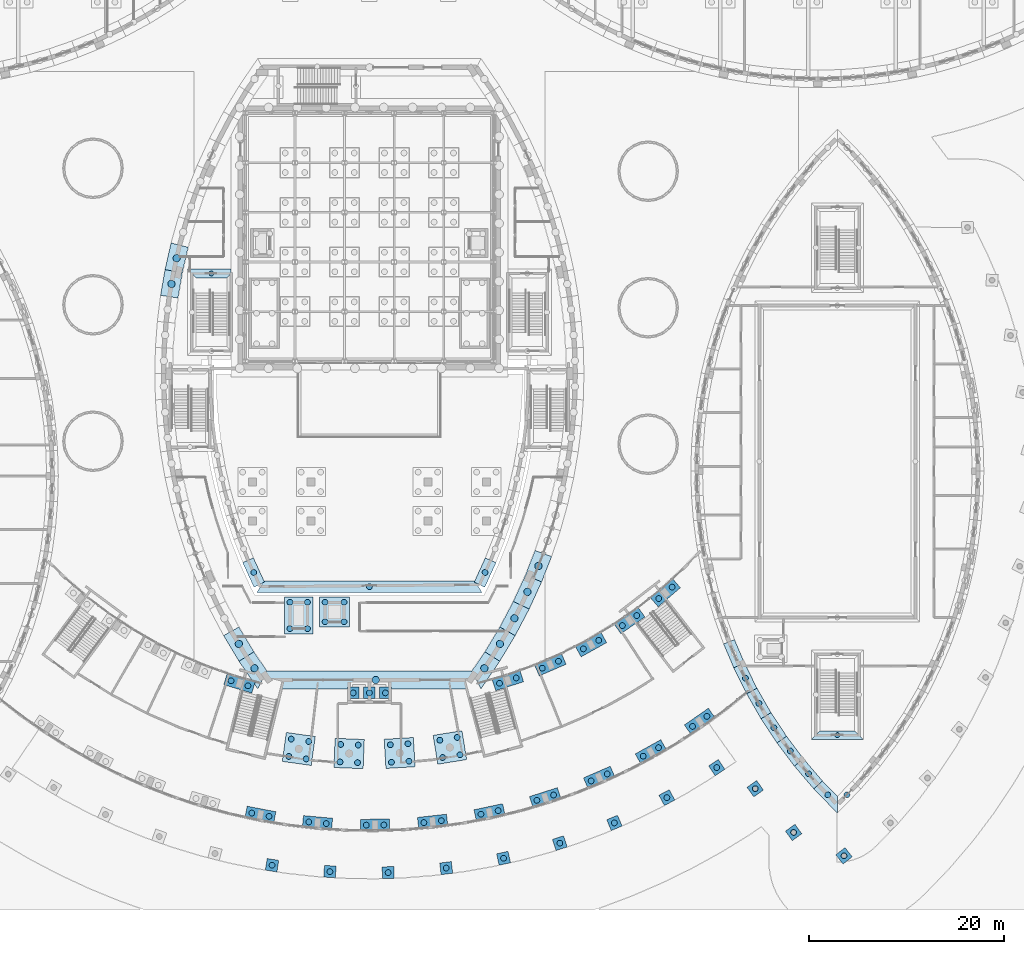
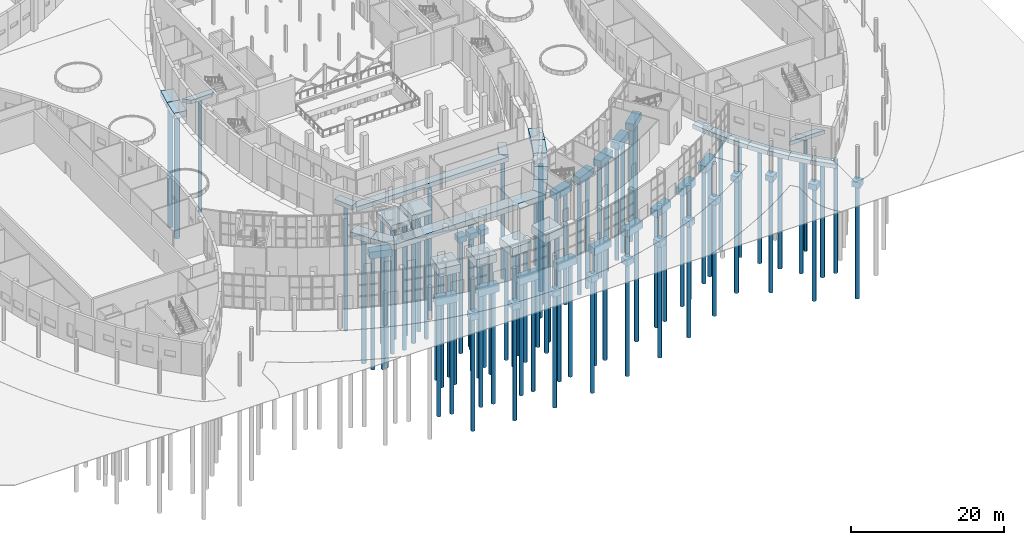
# One storey, part 3 of 82: 91 piles, 58 footings.
"""IFC4 building model written with IfcOpenShell, lengths in metres."""

import ifcopenshell
import ifcopenshell.guid

model = None  # the IFC model being written
_history = None  # IfcOwnerHistory: only IFC2X3 demands one
_inside = {}  # id of a spatial element -> (the spatial element, [elements in it])
_under = {}  # id of a project, library or spatial element -> (it, [spatial elements below it])
_declared = {}  # id of a project -> (the project, [libraries it declares])
_typed = {}  # id of a type object -> (the type object, [elements of that type])
_made_of = {}  # id of a material, layer set ... -> (it, [elements and type objects made of it])


def new_model(schema):
    """Start an empty IFC model of exactly this schema.

    Asked for "IFC4X3", IfcOpenShell would pick the latest addendum, in which some entities
    have other attributes; the version numbers below select the first issue.
    IFC2X3 requires an IfcOwnerHistory on every rooted entity: one is made here for all.
    """
    global model, _history
    if schema == "IFC4X3":
        model = ifcopenshell.file(schema_version=(4, 3, 0, 0))
    else:
        model = ifcopenshell.file(schema=schema)
    _inside.clear()
    _under.clear()
    _declared.clear()
    _typed.clear()
    _made_of.clear()
    _history = None
    if model.schema == "IFC2X3":
        org = make("IfcOrganization", Name="unknown")
        user = make(
            "IfcPersonAndOrganization",
            ThePerson=make("IfcPerson", FamilyName="unknown"),
            TheOrganization=org,
        )
        app = make(
            "IfcApplication",
            ApplicationDeveloper=org,
            Version="unknown",
            ApplicationFullName="unknown",
            ApplicationIdentifier="unknown",
        )
        _history = make(
            "IfcOwnerHistory",
            OwningUser=user,
            OwningApplication=app,
            ChangeAction="ADDED",
            CreationDate=0,
        )
    return model


def make(cls, **values):
    """One entity of the class cls with the attributes given. An attribute that is None is left unset."""
    return model.create_entity(
        cls, **{name: value for name, value in values.items() if value is not None}
    )


def rooted(cls, **values):
    """An entity with a GlobalId (a new one), such as an element, a storey or a relation."""
    return make(cls, GlobalId=ifcopenshell.guid.new(), OwnerHistory=_history, **values)


def si_unit(unit_type, name, prefix=None):
    """IfcSIUnit, for example si_unit("LENGTHUNIT", "METRE", prefix="MILLI")."""
    return make("IfcSIUnit", UnitType=unit_type, Prefix=prefix, Name=name)


def assignment(units):
    """IfcUnitAssignment: the units of a project."""
    return None if units is None else make("IfcUnitAssignment", Units=units)


def point(xyz):
    """IfcCartesianPoint."""
    return None if xyz is None else make("IfcCartesianPoint", Coordinates=xyz)


def direction(xyz):
    """IfcDirection."""
    return None if xyz is None else make("IfcDirection", DirectionRatios=xyz)


def frame(location, z_axis=None, x_axis=None):
    """IfcAxis2Placement3D, a coordinate frame: its origin and axes. An axis left out is left unset."""
    return make(
        "IfcAxis2Placement3D",
        Location=point(location),
        Axis=direction(z_axis),
        RefDirection=direction(x_axis),
    )


def frame_2d(location, x_axis=None):
    """IfcAxis2Placement2D, a coordinate frame in the plane: its origin and x axis."""
    return make(
        "IfcAxis2Placement2D", Location=point(location), RefDirection=direction(x_axis)
    )


def origin():
    """The frame at (0, 0, 0) with its axes left unset."""
    return frame((0.0, 0.0, 0.0))


def origin_2d():
    """The frame at (0, 0) in the plane with its x axis left unset."""
    return frame_2d((0.0, 0.0))


def place(relative_to, where):
    """IfcLocalPlacement: puts the frame where relative to a parent placement (None: the world)."""
    return make(
        "IfcLocalPlacement", PlacementRelTo=relative_to, RelativePlacement=where
    )


def context(
    kind, dimensions, precision=None, world=None, true_north=None, identifier=None
):
    """IfcGeometricRepresentationContext, for example the 3D "Model" context."""
    return make(
        "IfcGeometricRepresentationContext",
        ContextIdentifier=identifier,
        ContextType=kind,
        CoordinateSpaceDimension=dimensions,
        Precision=precision,
        WorldCoordinateSystem=world,
        TrueNorth=true_north,
    )


def subcontext(parent, identifier, kind, view, scale=None):
    """IfcGeometricRepresentationSubContext, for example "Body" below "Model"."""
    return make(
        "IfcGeometricRepresentationSubContext",
        ContextIdentifier=identifier,
        ContextType=kind,
        ParentContext=parent,
        TargetScale=scale,
        TargetView=view,
    )


def project(units=None, contexts=None):
    """IfcProject with its units and contexts."""
    return rooted(
        "IfcProject",
        Name="project",
        RepresentationContexts=contexts,
        UnitsInContext=assignment(units),
    )


def spatial(cls, under=None, at=None, **own):
    """A site, building, storey or space (cls), placed at a placement, below another one or the project."""
    s = rooted(cls, ObjectPlacement=at, **own)
    if under is not None:
        _under.setdefault(under.id(), (under, []))[1].append(s)
    return s


def polyline(points):
    """IfcPolyline through the points."""
    return make("IfcPolyline", Points=[point(p) for p in points])


def profile(cls, at=None, kind="AREA", **sizes):
    """A parametric profile (cls). Its sizes go by their IFC names, for example OverallWidth=200.0."""
    return make(cls, ProfileType=kind, Position=at, **sizes)


def rectangle(**sizes):
    """IfcRectangleProfileDef."""
    return profile("IfcRectangleProfileDef", **sizes)


def circle(**sizes):
    """IfcCircleProfileDef."""
    return profile("IfcCircleProfileDef", **sizes)


def outline(outer, holes=None, kind="AREA"):
    """IfcArbitraryClosedProfileDef: a profile drawn as a closed curve; with holes, ...WithVoids."""
    if holes is None:
        return make("IfcArbitraryClosedProfileDef", ProfileType=kind, OuterCurve=outer)
    return make(
        "IfcArbitraryProfileDefWithVoids",
        ProfileType=kind,
        OuterCurve=outer,
        InnerCurves=holes,
    )


def extrude(swept, where, along, depth):
    """IfcExtrudedAreaSolid: the profile swept, set in the frame where, extruded along a direction by depth."""
    return make(
        "IfcExtrudedAreaSolid",
        SweptArea=swept,
        Position=where,
        ExtrudedDirection=direction(along),
        Depth=depth,
    )


def shape(context_of_items, identifier, shape_type, items):
    """IfcShapeRepresentation: the items that make up one representation, for example the "Body"."""
    return make(
        "IfcShapeRepresentation",
        ContextOfItems=context_of_items,
        RepresentationIdentifier=identifier,
        RepresentationType=shape_type,
        Items=items,
    )


def material(Name=None, Category=None):
    """IfcMaterial."""
    return make("IfcMaterial", Name=Name, Category=Category)


def material_profile(
    of_material, cross_section, Name=None, Category=None, Priority=None
):
    """IfcMaterialProfile: a cross section and its material."""
    return make(
        "IfcMaterialProfile",
        Name=Name,
        Material=of_material,
        Profile=cross_section,
        Priority=Priority,
        Category=Category,
    )


def profile_set(profiles, Name=None, composite=None):
    """IfcMaterialProfileSet."""
    return make(
        "IfcMaterialProfileSet",
        Name=Name,
        MaterialProfiles=profiles,
        CompositeProfile=composite,
    )


def made_of(thing, what):
    """Note that an element or type object is made of a material, layer set ...; save() writes the relation."""
    if what is not None:
        _made_of.setdefault(what.id(), (what, []))[1].append(thing)
    return thing


def type_object(cls, material=None, **own):
    """A type object (cls), such as IfcWallType, which elements share."""
    return made_of(rooted(cls, **own), material)


def element(
    cls,
    number,
    at=None,
    inside=None,
    cuts=None,
    type_object=None,
    material=None,
    context=None,
    identifier="Body",
    shape_type=None,
    held_by="IfcProductDefinitionShape",
    body=None,
    shapes=None,
    **own,
):
    """One element of the class cls, such as IfcWall. Its Tag is "e" and its number.

    at: its placement. inside: the storey or other place that contains it. cuts: it is an
    opening in that element (IfcRelVoidsElement). A single representation is given by context,
    identifier, shape_type and body (its items); several are given by shapes. held_by: the class
    of the entity that holds the representations. save() writes the other relations.
    """
    e = rooted(cls, Tag="e%d" % number, ObjectPlacement=at, **own)
    if body is not None:
        shapes = [shape(context, identifier, shape_type, body)]
    if shapes is not None:
        e.Representation = make(held_by, Representations=shapes)
    if inside is not None:
        _inside.setdefault(inside.id(), (inside, []))[1].append(e)
    if cuts is not None:
        rooted(
            "IfcRelVoidsElement", RelatingBuildingElement=cuts, RelatedOpeningElement=e
        )
    if type_object is not None:
        _typed.setdefault(type_object.id(), (type_object, []))[1].append(e)
    return made_of(e, material)


def aggregate(whole, parts):
    """IfcRelAggregates: a whole, such as a stair, and the parts it consists of."""
    return rooted("IfcRelAggregates", RelatingObject=whole, RelatedObjects=parts)


def save(model, path):
    """Write the relations noted so far, then the file.

    IfcRelAggregates (storeys below a building ...), IfcRelContainedInSpatialStructure (elements
    in a storey), IfcRelDefinesByType, IfcRelAssociatesMaterial and IfcRelDeclares: one each for
    every whole, place, type object, material and project.
    """
    for whole, parts in _under.values():
        aggregate(whole, parts)
    for where, things in _inside.values():
        rooted(
            "IfcRelContainedInSpatialStructure",
            RelatedElements=things,
            RelatingStructure=where,
        )
    for kind, things in _typed.values():
        rooted("IfcRelDefinesByType", RelatedObjects=things, RelatingType=kind)
    for what, things in _made_of.values():
        rooted("IfcRelAssociatesMaterial", RelatedObjects=things, RelatingMaterial=what)
    for by, libraries in _declared.values():
        rooted("IfcRelDeclares", RelatingContext=by, RelatedDefinitions=libraries)
    model.write(path)


model = new_model("IFC4")

# Units and contexts
model_context = context("Model", 3, precision=1e-05, world=origin(), true_north=direction((0.0, 1.0)))
body_context = subcontext(model_context, "Body", "Model", "MODEL_VIEW")
ifc_project = project(units=[si_unit("LENGTHUNIT", "METRE"), si_unit("AREAUNIT", "SQUARE_METRE"), si_unit("VOLUMEUNIT", "CUBIC_METRE"), si_unit("PLANEANGLEUNIT", "RADIAN"), si_unit("MASSUNIT", "GRAM", prefix="KILO")], contexts=[model_context])

# Site, building, storey
site_placement = place(None, origin())
site = spatial("IfcSite", under=ifc_project, at=site_placement, CompositionType="ELEMENT")
building_placement = place(site_placement, origin())
building = spatial("IfcBuilding", under=site, at=building_placement, Name="Tide Square Theatres", CompositionType="ELEMENT")
storey_placement = place(building_placement, origin())
storey = spatial("IfcBuildingStorey", under=building, at=storey_placement, Name="L00", CompositionType="ELEMENT", Elevation=0.0)

# Piles
ifc_material_1 = material(Name="Concrete C30", Category="concrete")
ifc_material_profile_1 = material_profile(ifc_material_1, circle(Radius=0.25, at=origin_2d()))
ifc_profile_set_1 = profile_set([ifc_material_profile_1], Name="Concrete C30")
pile_type_1 = type_object("IfcPileType", Name="Bored pile D500", PredefinedType="BORED", material=ifc_profile_set_1)
for number, where, z_axis, x_axis, name in (
    (1, (67.800048828125, 65.27490234375, -0.699951171875), (0.0, 0.0, -1.0), (1.0, 0.0, 0.0), "Bored pile 003"),
    (2, (132.0, 17.925048828125, -0.699951171875), (0.0, 0.0, -1.0), (1.0, 0.0, 0.0), "Bored pile 066"),
):
    element("IfcPile", number, at=place(storey_placement, frame(where, z_axis=z_axis, x_axis=x_axis)), inside=storey, type_object=pile_type_1, Name=name, PredefinedType="BORED", context=body_context, shape_type="SweptSolid", body=[
        extrude(circle(Radius=0.25, at=origin_2d()), origin(), (0.0, 0.0, 1.0), 18.14990234375),
    ])
ifc_material_2 = material(Name="Concrete C30", Category="concrete")
ifc_material_profile_2 = material_profile(ifc_material_2, circle(Radius=0.300048828125, at=origin_2d()))
ifc_profile_set_2 = profile_set([ifc_material_profile_2], Name="Concrete C30")
pile_type_2 = type_object("IfcPileType", Name="Bored pile D600", PredefinedType="BORED", material=ifc_profile_set_2)
for number, where, z_axis, x_axis, name in (
    (3, (74.01708984375, 4.580810546875, -1.0), (0.0, 0.0, -1.0), (1.0, 0.0, 0.0), "Foyer bored pile"),
    (4, (79.953369140625, 3.927734375, -1.0), (0.0, 0.0, -1.0), (1.0, 0.0, 0.0), "Foyer bored pile"),
    (5, (85.9248046875, 3.828857421875, -1.0), (0.0, 0.0, -1.0), (1.0, 0.0, 0.0), "Foyer bored pile"),
    (6, (91.87939453125, 4.285400390625, -1.0), (0.0, 0.0, -1.0), (1.0, 0.0, 0.0), "Foyer bored pile"),
    (7, (97.765869140625, 5.293212890625, -1.0), (0.0, 0.0, -1.0), (1.0, 0.0, 0.0), "Foyer bored pile"),
    (8, (103.533203125, 6.84375, -1.0), (0.0, 0.0, -1.0), (1.0, 0.0, 0.0), "Foyer bored pile"),
    (9, (109.131591796875, 8.92333984375, -1.0), (0.0, 0.0, -1.0), (1.0, 0.0, 0.0), "Foyer bored pile"),
    (10, (114.512451171875, 11.514404296875, -1.0), (0.0, 0.0, -1.0), (1.0, 0.0, 0.0), "Foyer bored pile"),
    (11, (119.629150390625, 14.593994140625, -1.0), (0.0, 0.0, -1.0), (1.0, 0.0, 0.0), "Foyer bored pile"),
    (12, (123.57861328125, 12.431396484375, -1.0), (0.0, 0.0, -1.0), (1.0, 0.0, 0.0), "Foyer bored pile"),
    (13, (127.514404296875, 7.94287109375, -1.0), (0.0, 0.0, -1.0), (1.0, 0.0, 0.0), "Foyer bored pile"),
    (14, (132.682373046875, 5.54736328125, -1.0), (0.0, 0.0, -1.0), (1.0, 0.0, 0.0), "Foyer bored pile"),
):
    element("IfcPile", number, at=place(storey_placement, frame(where, z_axis=z_axis, x_axis=x_axis)), inside=storey, type_object=pile_type_2, Name=name, PredefinedType="BORED", context=body_context, shape_type="SweptSolid", body=[
        extrude(circle(Radius=0.300048828125, at=origin_2d()), origin(), (0.0, 0.0, 1.0), 18.14990234375),
    ])
for number, where, z_axis, x_axis, name in (
    (15, (72.132080078125, 34.610595703125, -0.550048828125), (0.0, 0.0, -1.0), (1.0, 0.0, 0.0), "Bored pile"),
    (16, (84.0, 33.14990234375, -0.550048828125), (0.0, 0.0, -1.0), (1.0, 0.0, 0.0), "Bored pile"),
    (17, (95.867919921875, 34.610595703125, -0.550048828125), (0.0, 0.0, -1.0), (1.0, 0.0, 0.0), "Bored pile"),
    (18, (75.85009765625, 28.85009765625, -2.050048828125), (0.0, 0.0, -1.0), (1.0, 0.0, 0.0), "Main Theatre lift pit pile 1.1"),
    (19, (77.64990234375, 28.85009765625, -2.050048828125), (0.0, 0.0, -1.0), (1.0, 0.0, 0.0), "Main Theatre lift pit pile 1.2"),
    (20, (77.64990234375, 31.550048828125, -2.050048828125), (0.0, 0.0, -1.0), (1.0, 0.0, 0.0), "Main Theatre lift pit pile 1.3"),
    (21, (75.85009765625, 31.550048828125, -2.050048828125), (0.0, 0.0, -1.0), (1.0, 0.0, 0.0), "Main Theatre lift pit pile 1.4"),
    (22, (79.449951171875, 29.550048828125, -2.050048828125), (0.0, 0.0, -1.0), (1.0, 0.0, 0.0), "Main Theatre lift pit pile 2.1"),
    (23, (81.39990234375, 29.550048828125, -2.050048828125), (0.0, 0.0, -1.0), (1.0, 0.0, 0.0), "Main Theatre lift pit pile 2.2"),
    (24, (81.39990234375, 31.550048828125, -2.050048828125), (0.0, 0.0, -1.0), (1.0, 0.0, 0.0), "Main Theatre lift pit pile 2.3"),
    (25, (79.449951171875, 31.550048828125, -2.050048828125), (0.0, 0.0, -1.0), (1.0, 0.0, 0.0), "Main Theatre lift pit pile 2.4"),
):
    element("IfcPile", number, at=place(storey_placement, frame(where, z_axis=z_axis, x_axis=x_axis)), inside=storey, type_object=pile_type_2, Name=name, PredefinedType="BORED", context=body_context, shape_type="SweptSolid", body=[
        extrude(circle(Radius=0.300048828125, at=origin_2d()), origin(), (0.0, 0.0, 1.0), 20.14990234375),
    ])
for number, where, z_axis, x_axis, name in (
    (26, (69.814697265625, 23.497314453125, -1.199951171875), (0.0, 0.0, -1.0), (1.0, 0.0, 0.0), "Foyer bored pile"),
    (27, (71.5400390625, 22.98388671875, -1.199951171875), (0.0, 0.0, -1.0), (1.0, 0.0, 0.0), "Foyer bored pile"),
    (28, (71.941650390625, 9.931884765625, -1.199951171875), (0.0, 0.0, -1.0), (1.0, 0.0, 0.0), "Foyer bored pile"),
    (29, (73.70947265625, 9.5927734375, -1.199951171875), (0.0, 0.0, -1.0), (1.0, 0.0, 0.0), "Foyer bored pile"),
    (30, (77.783203125, 9.02001953125, -1.199951171875), (0.0, 0.0, -1.0), (1.0, 0.0, 0.0), "Foyer bored pile"),
    (31, (79.57568359375, 8.8583984375, -1.199951171875), (0.0, 0.0, -1.0), (1.0, 0.0, 0.0), "Foyer bored pile"),
    (32, (83.686279296875, 8.694091796875, -1.199951171875), (0.0, 0.0, -1.0), (1.0, 0.0, 0.0), "Foyer bored pile"),
    (33, (85.486083984375, 8.7119140625, -1.199951171875), (0.0, 0.0, -1.0), (1.0, 0.0, 0.0), "Foyer bored pile"),
    (34, (89.59228515625, 8.95751953125, -1.199951171875), (0.0, 0.0, -1.0), (1.0, 0.0, 0.0), "Foyer bored pile"),
    (35, (91.381591796875, 9.154296875, -1.199951171875), (0.0, 0.0, -1.0), (1.0, 0.0, 0.0), "Foyer bored pile"),
    (36, (95.443115234375, 9.8076171875, -1.199951171875), (0.0, 0.0, -1.0), (1.0, 0.0, 0.0), "Foyer bored pile"),
    (37, (97.203857421875, 10.181640625, -1.199951171875), (0.0, 0.0, -1.0), (1.0, 0.0, 0.0), "Foyer bored pile"),
    (38, (101.179931640625, 11.236083984375, -1.199951171875), (0.0, 0.0, -1.0), (1.0, 0.0, 0.0), "Foyer bored pile"),
    (39, (102.894775390625, 11.783447265625, -1.199951171875), (0.0, 0.0, -1.0), (1.0, 0.0, 0.0), "Foyer bored pile"),
    (40, (97.347412109375, 23.239013671875, -1.199951171875), (0.0, 0.0, -1.0), (1.0, 0.0, 0.0), "Foyer bored pile"),
    (41, (99.06201171875, 23.78662109375, -1.199951171875), (0.0, 0.0, -1.0), (1.0, 0.0, 0.0), "Foyer bored pile"),
    (42, (106.74609375, 13.228515625, -1.199951171875), (0.0, 0.0, -1.0), (1.0, 0.0, 0.0), "Foyer bored pile"),
    (43, (108.39794921875, 13.944091796875, -1.199951171875), (0.0, 0.0, -1.0), (1.0, 0.0, 0.0), "Foyer bored pile"),
    (44, (101.737548828125, 24.790283203125, -1.199951171875), (0.0, 0.0, -1.0), (1.0, 0.0, 0.0), "Foyer bored pile"),
    (45, (103.389404296875, 25.505859375, -1.199951171875), (0.0, 0.0, -1.0), (1.0, 0.0, 0.0), "Foyer bored pile"),
    (46, (112.08642578125, 15.765380859375, -1.199951171875), (0.0, 0.0, -1.0), (1.0, 0.0, 0.0), "Foyer bored pile"),
    (47, (113.65869140625, 16.641845703125, -1.199951171875), (0.0, 0.0, -1.0), (1.0, 0.0, 0.0), "Foyer bored pile"),
    (48, (105.95166015625, 26.77099609375, -1.199951171875), (0.0, 0.0, -1.0), (1.0, 0.0, 0.0), "Foyer bored pile"),
    (49, (107.523681640625, 27.6474609375, -1.199951171875), (0.0, 0.0, -1.0), (1.0, 0.0, 0.0), "Foyer bored pile"),
    (50, (117.1474609375, 18.8212890625, -1.199951171875), (0.0, 0.0, -1.0), (1.0, 0.0, 0.0), "Foyer bored pile"),
    (51, (118.62451171875, 19.849853515625, -1.199951171875), (0.0, 0.0, -1.0), (1.0, 0.0, 0.0), "Foyer bored pile"),
    (52, (109.947509765625, 29.161376953125, -1.199951171875), (0.0, 0.0, -1.0), (1.0, 0.0, 0.0), "Foyer bored pile"),
    (53, (111.424560546875, 30.18994140625, -1.199951171875), (0.0, 0.0, -1.0), (1.0, 0.0, 0.0), "Foyer bored pile"),
    (54, (113.685302734375, 31.937744140625, -1.199951171875), (0.0, 0.0, -1.0), (1.0, 0.0, 0.0), "Foyer bored pile"),
    (55, (115.052734375, 33.1083984375, -1.199951171875), (0.0, 0.0, -1.0), (1.0, 0.0, 0.0), "Foyer bored pile"),
    (56, (75.7421875, 15.74072265625, -1.39990234375), (0.0, 0.0, -1.0), (1.0, 0.0, 0.0), "Foyer bored pile"),
    (57, (77.524658203125, 15.489990234375, -1.39990234375), (0.0, 0.0, -1.0), (1.0, 0.0, 0.0), "Foyer bored pile"),
    (58, (75.992919921875, 17.523193359375, -1.39990234375), (0.0, 0.0, -1.0), (1.0, 0.0, 0.0), "Foyer bored pile"),
    (59, (77.775390625, 17.272705078125, -1.39990234375), (0.0, 0.0, -1.0), (1.0, 0.0, 0.0), "Foyer bored pile"),
    (60, (80.986328125, 15.17822265625, -1.39990234375), (0.0, 0.0, -1.0), (1.0, 0.0, 0.0), "Foyer bored pile"),
    (61, (82.784912109375, 15.106201171875, -1.39990234375), (0.0, 0.0, -1.0), (1.0, 0.0, 0.0), "Foyer bored pile"),
    (62, (81.058349609375, 16.976806640625, -1.39990234375), (0.0, 0.0, -1.0), (1.0, 0.0, 0.0), "Foyer bored pile"),
    (63, (82.85693359375, 16.90478515625, -1.39990234375), (0.0, 0.0, -1.0), (1.0, 0.0, 0.0), "Foyer bored pile"),
    (64, (86.260498046875, 15.140625, -1.39990234375), (0.0, 0.0, -1.0), (1.0, 0.0, 0.0), "Foyer bored pile"),
    (65, (88.05712890625, 15.248046875, -1.39990234375), (0.0, 0.0, -1.0), (1.0, 0.0, 0.0), "Foyer bored pile"),
    (66, (86.15283203125, 16.9375, -1.39990234375), (0.0, 0.0, -1.0), (1.0, 0.0, 0.0), "Foyer bored pile"),
    (67, (87.94970703125, 17.044921875, -1.39990234375), (0.0, 0.0, -1.0), (1.0, 0.0, 0.0), "Foyer bored pile"),
    (68, (91.511962890625, 15.62841796875, -1.39990234375), (0.0, 0.0, -1.0), (1.0, 0.0, 0.0), "Foyer bored pile"),
    (69, (93.289306640625, 15.914306640625, -1.39990234375), (0.0, 0.0, -1.0), (1.0, 0.0, 0.0), "Foyer bored pile"),
    (70, (91.226318359375, 17.405517578125, -1.39990234375), (0.0, 0.0, -1.0), (1.0, 0.0, 0.0), "Foyer bored pile"),
    (71, (93.00341796875, 17.69140625, -1.39990234375), (0.0, 0.0, -1.0), (1.0, 0.0, 0.0), "Foyer bored pile"),
    (72, (132.986083984375, 11.803466796875, -0.800048828125), (0.0, 0.0, -1.0), (1.0, 0.0, 0.0), "Bored pile 001"),
    (73, (122.5712890625, 23.7705078125, -0.800048828125), (0.0, 0.0, -1.0), (1.0, 0.0, 0.0), "Bored pile 051"),
    (74, (123.953125, 21.186279296875, -0.800048828125), (0.0, 0.0, -1.0), (1.0, 0.0, 0.0), "Bored pile 052"),
    (75, (125.49072265625, 18.692138671875, -0.800048828125), (0.0, 0.0, -1.0), (1.0, 0.0, 0.0), "Bored pile 053"),
    (76, (127.178466796875, 16.296875, -0.800048828125), (0.0, 0.0, -1.0), (1.0, 0.0, 0.0), "Bored pile 054"),
    (77, (129.04345703125, 13.972412109375, -0.800048828125), (0.0, 0.0, -1.0), (1.0, 0.0, 0.0), "Bored pile 055"),
    (78, (131.013916015625, 11.803466796875, -0.800048828125), (0.0, 0.0, -1.0), (1.0, 0.0, 0.0), "Bored pile 056"),
    (79, (82.35009765625, 22.257568359375, -2.25), (0.0, 0.0, -1.0), (1.0, 0.0, 0.0), "Foyer bored pile"),
    (80, (84.0, 22.257568359375, -2.25), (0.0, 0.0, -1.0), (1.0, 0.0, 0.0), "Foyer bored pile"),
    (81, (85.64990234375, 22.257568359375, -2.25), (0.0, 0.0, -1.0), (1.0, 0.0, 0.0), "Foyer bored pile"),
):
    element("IfcPile", number, at=place(storey_placement, frame(where, z_axis=z_axis, x_axis=x_axis)), inside=storey, type_object=pile_type_2, Name=name, PredefinedType="BORED", context=body_context, shape_type="SweptSolid", body=[
        extrude(circle(Radius=0.300048828125, at=origin_2d()), origin(), (0.0, 0.0, 1.0), 18.14990234375),
    ])
ifc_material_3 = material(Name="Concrete C30", Category="concrete")
ifc_material_profile_3 = material_profile(ifc_material_3, circle(Radius=0.375, at=origin_2d()))
ifc_profile_set_3 = profile_set([ifc_material_profile_3], Name="Concrete C30")
pile_type_3 = type_object("IfcPileType", Name="Bored pile D750", PredefinedType="BORED", material=ifc_profile_set_3)
for number, where, z_axis, x_axis, name in (
    (82, (95.792724609375, 24.784423828125, -0.75), (0.0, 0.0, -1.0), (1.0, 0.0, 0.0), "Bored pile"),
    (83, (97.390380859375, 27.280517578125, -0.75), (0.0, 0.0, -1.0), (1.0, 0.0, 0.0), "Bored pile"),
    (84, (98.874267578125, 29.910400390625, -0.75), (0.0, 0.0, -1.0), (1.0, 0.0, 0.0), "Bored pile"),
    (85, (100.208251953125, 32.619873046875, -0.75), (0.0, 0.0, -1.0), (1.0, 0.0, 0.0), "Bored pile"),
    (86, (101.342041015625, 35.273193359375, -0.75), (0.0, 0.0, -1.0), (1.0, 0.0, 0.0), "Bored pile"),
    (87, (64.22900390625, 66.845703125, -0.75), (0.0, 0.0, -1.0), (1.0, 0.0, 0.0), "Bored pile"),
    (88, (63.69970703125, 64.20166015625, -0.75), (0.0, 0.0, -1.0), (1.0, 0.0, 0.0), "Bored pile"),
    (89, (70.609619140625, 27.280517578125, -0.75), (0.0, 0.0, -1.0), (1.0, 0.0, 0.0), "Bored pile"),
    (90, (72.207275390625, 24.784423828125, -0.75), (0.0, 0.0, -1.0), (1.0, 0.0, 0.0), "Bored pile"),
    (91, (84.64990234375, 23.58251953125, -0.75), (0.0, 0.0, -1.0), (1.0, 0.0, 0.0), "Bored pile"),
):
    element("IfcPile", number, at=place(storey_placement, frame(where, z_axis=z_axis, x_axis=x_axis)), inside=storey, type_object=pile_type_3, Name=name, PredefinedType="BORED", context=body_context, shape_type="SweptSolid", body=[
        extrude(circle(Radius=0.375, at=origin_2d()), origin(), (0.0, 0.0, 1.0), 20.14990234375),
    ])

# Footings
ifc_material_4 = material(Name="Concrete C35", Category="concrete")
footing_type_1 = type_object("IfcFootingType", Name="Pile cap 1 piles D600", PredefinedType="PILE_CAP", material=ifc_material_4)
for number, where, z_axis, x_axis, name in (
    (92, (74.01708984375, 4.580810546875, -1.14990234375), (0.0, 0.0, 1.0), (0.987836423514, -0.155496624975, 0.0), "Foyer pile cap"),
    (93, (79.953369140625, 3.927734375, -1.14990234375), (0.0, 0.0, 1.0), (0.998011576042, -0.063030897869, 0.0), "Foyer pile cap"),
    (94, (85.9248046875, 3.828857421875, -1.14990234375), (0.0, 0.0, 1.0), (0.999550490868, 0.029980263607, 0.0), "Foyer pile cap"),
    (95, (91.87939453125, 4.285400390625, -1.14990234375), (0.0, 0.0, 1.0), (0.992439851078, 0.122731992539, 0.0), "Foyer pile cap"),
    (96, (97.765869140625, 5.293212890625, -1.14990234375), (0.0, 0.0, 1.0), (0.976741562433, 0.21441996226, 0.0), "Foyer pile cap"),
    (97, (103.533203125, 6.84375, -1.14990234375), (0.0, 0.0, 1.0), (0.952590349736, 0.304255855474, 0.0), "Foyer pile cap"),
    (98, (109.131591796875, 8.92333984375, -1.14990234375), (0.0, 0.0, 1.0), (0.920196323629, 0.391457182818, 0.0), "Foyer pile cap"),
    (99, (114.512451171875, 11.514404296875, -1.14990234375), (0.0, 0.0, 1.0), (0.879839429781, 0.475271057189, 0.0), "Foyer pile cap"),
    (100, (119.629150390625, 14.593994140625, -1.14990234375), (0.0, 0.0, 1.0), (0.831868894332, 0.554972199883, 0.0), "Foyer pile cap"),
    (101, (123.57861328125, 12.431396484375, -1.14990234375), (0.0, 0.0, 1.0), (0.814517689482, 0.580138719204, 0.0), "Foyer pile cap"),
    (102, (127.514404296875, 7.94287109375, -1.14990234375), (0.0, 0.0, 1.0), (0.809783662073, 0.58672857493, 0.0), "Foyer pile cap"),
    (103, (132.682373046875, 5.54736328125, -1.14990234375), (0.0, 0.0, 1.0), (0.788690451303, 0.614790510682, 0.0), "Foyer pile cap"),
    (104, (82.35009765625, 22.257568359375, -2.39990234375), (0.0, 0.0, 1.0), (1.0, 0.0, 0.0), "Foyer pile cap"),
    (105, (84.0, 22.257568359375, -2.39990234375), (0.0, 0.0, 1.0), (1.0, 0.0, 0.0), "Foyer pile cap"),
    (106, (85.64990234375, 22.257568359375, -2.39990234375), (0.0, 0.0, 1.0), (1.0, 0.0, 0.0), "Foyer pile cap"),
):
    element("IfcFooting", number, at=place(storey_placement, frame(where, z_axis=z_axis, x_axis=x_axis)), inside=storey, type_object=footing_type_1, Name=name, PredefinedType="PILE_CAP", context=body_context, shape_type="SweptSolid", body=[
        extrude(rectangle(XDim=1.199951171875, YDim=1.199951171875, at=origin_2d()), origin(), (0.0, 0.0, 1.0), 0.89990234375),
    ])
ifc_material_5 = material(Name="Concrete C35", Category="concrete")
footing_type_2 = type_object("IfcFootingType", Name="Pile cap 2 piles D600", PredefinedType="PILE_CAP", material=ifc_material_5)
for number, where, z_axis, x_axis, name in (
    (107, (70.677490234375, 23.24072265625, -1.35009765625), (0.0, 0.0, 1.0), (0.958443652997, -0.285281902737, 0.0), "Foyer pile cap"),
    (108, (72.82568359375, 9.762451171875, -1.35009765625), (0.0, 0.0, 1.0), (0.982084896246, -0.188438999586, 0.0), "Foyer pile cap"),
    (109, (78.679443359375, 8.939208984375, -1.35009765625), (0.0, 0.0, 1.0), (0.995966713782, -0.089723492117, 0.0), "Foyer pile cap"),
    (110, (84.586181640625, 8.702880859375, -1.35009765625), (0.0, 0.0, 1.0), (0.999951155651, 0.009883638631, 0.0), "Foyer pile cap"),
    (111, (90.487060546875, 9.055908203125, -1.35009765625), (0.0, 0.0, 1.0), (0.993998626635, 0.109392551153, 0.0), "Foyer pile cap"),
    (112, (96.323486328125, 9.99462890625, -1.35009765625), (0.0, 0.0, 1.0), (0.978168279732, 0.207814379981, 0.0), "Foyer pile cap"),
    (113, (102.037353515625, 11.509765625, -1.35009765625), (0.0, 0.0, 1.0), (0.952617428321, 0.304171062495, 0.0), "Foyer pile cap"),
    (114, (98.204833984375, 23.5126953125, -1.35009765625), (0.0, 0.0, 1.0), (0.952617428321, 0.304171062495, 0.0), "Foyer pile cap"),
    (115, (107.572021484375, 13.586181640625, -1.35009765625), (0.0, 0.0, 1.0), (0.917599982871, 0.397505058376, 0.0), "Foyer pile cap"),
    (116, (102.5634765625, 25.148193359375, -1.35009765625), (0.0, 0.0, 1.0), (0.917599982871, 0.397505058376, 0.0), "Foyer pile cap"),
    (117, (112.87255859375, 16.20361328125, -1.35009765625), (0.0, 0.0, 1.0), (0.873463927716, 0.486888865121, 0.0), "Foyer pile cap"),
    (118, (106.73779296875, 27.209228515625, -1.35009765625), (0.0, 0.0, 1.0), (0.873463927716, 0.486888865121, 0.0), "Foyer pile cap"),
    (119, (117.885986328125, 19.335693359375, -1.35009765625), (0.0, 0.0, 1.0), (0.820647862973, 0.571434235059, 0.0), "Foyer pile cap"),
    (120, (110.68603515625, 29.67578125, -1.35009765625), (0.0, 0.0, 1.0), (0.820647862973, 0.571434235059, 0.0), "Foyer pile cap"),
    (121, (114.368896484375, 32.523193359375, -1.35009765625), (0.0, 0.0, 1.0), (0.759676645976, 0.650301002274, 0.0), "Foyer pile cap"),
):
    element("IfcFooting", number, at=place(storey_placement, frame(where, z_axis=z_axis, x_axis=x_axis)), inside=storey, type_object=footing_type_2, Name=name, PredefinedType="PILE_CAP", context=body_context, shape_type="SweptSolid", body=[
        extrude(rectangle(XDim=3.0, YDim=1.199951171875, at=origin_2d()), origin(), (0.0, 0.0, 1.0), 1.10009765625),
    ])
ifc_material_6 = material(Name="Concrete C35", Category="concrete")
footing_type_3 = type_object("IfcFootingType", Name="Pile cap 4 piles D600", PredefinedType="PILE_CAP", material=ifc_material_6)
footing_1_placement = place(storey_placement, frame((0.0, 0.0, -2.199951171875)))
element("IfcFooting", 122, at=footing_1_placement, inside=storey, type_object=footing_type_3, Name="Main Theatre lift pit slab 1", PredefinedType="PILE_CAP", context=body_context, shape_type="SweptSolid", body=[
    extrude(outline(polyline([(75.300048828125, 28.300048828125), (78.199951171875, 28.300048828125), (78.199951171875, 32.10009765625), (75.300048828125, 32.10009765625), (75.300048828125, 28.300048828125)])), origin(), (0.0, 0.0, 1.0), 0.800048828125),
])
footing_2_placement = place(storey_placement, frame((0.0, 0.0, -2.199951171875)))
element("IfcFooting", 123, at=footing_2_placement, inside=storey, type_object=footing_type_3, Name="Main Theatre lift pit slab 2", PredefinedType="PILE_CAP", context=body_context, shape_type="SweptSolid", body=[
    extrude(outline(polyline([(78.89990234375, 29.0), (81.949951171875, 29.0), (81.949951171875, 32.10009765625), (78.89990234375, 32.10009765625), (78.89990234375, 29.0)])), origin(), (0.0, 0.0, 1.0), 0.800048828125),
])
for number, where, z_axis, x_axis, name in (
    (124, (76.7587890625, 16.506591796875, -1.5498046875), (0.0, 0.0, 1.0), (0.990256648974, -0.139254332652, 0.0), "Foyer pile cap"),
    (125, (81.921630859375, 16.04150390625, -1.5498046875), (0.0, 0.0, 1.0), (0.999200895969, -0.039969607146, 0.0), "Foyer pile cap"),
    (126, (87.10498046875, 16.0927734375, -1.5498046875), (0.0, 0.0, 1.0), (0.998215627751, 0.059712314582, 0.0), "Foyer pile cap"),
    (127, (92.2578125, 16.659912109375, -1.5498046875), (0.0, 0.0, 1.0), (0.987310635383, 0.158800847795, 0.0), "Foyer pile cap"),
):
    element("IfcFooting", number, at=place(storey_placement, frame(where, z_axis=z_axis, x_axis=x_axis)), inside=storey, type_object=footing_type_3, Name=name, PredefinedType="PILE_CAP", context=body_context, shape_type="SweptSolid", body=[
        extrude(rectangle(XDim=3.0, YDim=3.0, at=origin_2d()), origin(), (0.0, 0.0, 1.0), 1.300048828125),
    ])
ifc_material_7 = material(Name="Concrete C35", Category="concrete")
footing_type_4 = type_object("IfcFootingType", Name="Strip footing 1200 x 700", PredefinedType="STRIP_FOOTING", material=ifc_material_7)
footing_3_placement = place(storey_placement, frame((0.0, 0.0, -0.699951171875)))
element("IfcFooting", 128, at=footing_3_placement, inside=storey, type_object=footing_type_4, Name="Strip footing", PredefinedType="STRIP_FOOTING", context=body_context, shape_type="SweptSolid", body=[
    extrude(outline(polyline([(71.005615234375, 35.629638671875), (72.16796875, 33.09130859375), (73.244873046875, 33.62158203125), (72.10986328125, 36.099853515625), (71.005615234375, 35.629638671875)])), origin(), (0.0, 0.0, 1.0), 0.699951171875),
])
footing_4_placement = place(storey_placement, frame((0.0, 0.0, -0.699951171875)))
element("IfcFooting", 129, at=footing_4_placement, inside=storey, type_object=footing_type_4, Name="Strip footing", PredefinedType="STRIP_FOOTING", context=body_context, shape_type="SweptSolid", body=[
    extrude(outline(polyline([(72.45361328125, 32.550048828125), (95.54638671875, 32.550048828125), (94.822998046875, 33.75), (73.177001953125, 33.75), (72.45361328125, 32.550048828125)])), origin(), (0.0, 0.0, 1.0), 0.699951171875),
])
footing_5_placement = place(storey_placement, frame((0.0, 0.0, -0.699951171875)))
element("IfcFooting", 130, at=footing_5_placement, inside=storey, type_object=footing_type_4, Name="Strip footing", PredefinedType="STRIP_FOOTING", context=body_context, shape_type="SweptSolid", body=[
    extrude(outline(polyline([(95.83203125, 33.09130859375), (96.994384765625, 35.629638671875), (95.89013671875, 36.099853515625), (94.755126953125, 33.62158203125), (95.83203125, 33.09130859375)])), origin(), (0.0, 0.0, 1.0), 0.699951171875),
])
footing_6_placement = place(storey_placement, frame((0.0, 0.0, -0.949951171875)))
element("IfcFooting", 131, at=footing_6_placement, inside=storey, type_object=footing_type_4, Name="Black Box Theatre wall strip footing 050", PredefinedType="STRIP_FOOTING", context=body_context, shape_type="SweptSolid", body=[
    extrude(outline(polyline([(120.33251953125, 27.281494140625), (121.37451171875, 24.832763671875), (122.465087890625, 25.334716796875), (121.44970703125, 27.720947265625), (120.33251953125, 27.281494140625)])), origin(), (0.0, 0.0, 1.0), 0.699951171875),
])
footing_7_placement = place(storey_placement, frame((0.0, 0.0, -0.949951171875)))
element("IfcFooting", 132, at=footing_7_placement, inside=storey, type_object=footing_type_4, Name="Black Box Theatre wall strip footing 051", PredefinedType="STRIP_FOOTING", context=body_context, shape_type="SweptSolid", body=[
    extrude(outline(polyline([(121.37451171875, 24.832763671875), (122.693115234375, 22.174072265625), (123.751953125, 22.740234375), (122.465087890625, 25.334716796875), (121.37451171875, 24.832763671875)])), origin(), (0.0, 0.0, 1.0), 0.699951171875),
])
footing_8_placement = place(storey_placement, frame((0.0, 0.0, -0.949951171875)))
element("IfcFooting", 133, at=footing_8_placement, inside=storey, type_object=footing_type_4, Name="Black Box Theatre wall strip footing 052", PredefinedType="STRIP_FOOTING", context=body_context, shape_type="SweptSolid", body=[
    extrude(outline(polyline([(122.693115234375, 22.174072265625), (124.172607421875, 19.6005859375), (125.194580078125, 20.230712890625), (123.751953125, 22.740234375), (122.693115234375, 22.174072265625)])), origin(), (0.0, 0.0, 1.0), 0.699951171875),
])
footing_9_placement = place(storey_placement, frame((0.0, 0.0, -0.949951171875)))
element("IfcFooting", 134, at=footing_9_placement, inside=storey, type_object=footing_type_4, Name="Black Box Theatre wall strip footing 053", PredefinedType="STRIP_FOOTING", context=body_context, shape_type="SweptSolid", body=[
    extrude(outline(polyline([(124.172607421875, 19.6005859375), (125.80712890625, 17.122802734375), (126.78857421875, 17.814208984375), (125.194580078125, 20.230712890625), (124.172607421875, 19.6005859375)])), origin(), (0.0, 0.0, 1.0), 0.699951171875),
])
footing_10_placement = place(storey_placement, frame((0.0, 0.0, -0.949951171875)))
element("IfcFooting", 135, at=footing_10_placement, inside=storey, type_object=footing_type_4, Name="Black Box Theatre wall strip footing 054", PredefinedType="STRIP_FOOTING", context=body_context, shape_type="SweptSolid", body=[
    extrude(outline(polyline([(125.80712890625, 17.122802734375), (127.590576171875, 14.749755859375), (128.52734375, 15.50048828125), (126.78857421875, 17.814208984375), (125.80712890625, 17.122802734375)])), origin(), (0.0, 0.0, 1.0), 0.699951171875),
])
footing_11_placement = place(storey_placement, frame((0.0, 0.0, -0.949951171875)))
element("IfcFooting", 136, at=footing_11_placement, inside=storey, type_object=footing_type_4, Name="Black Box Theatre wall strip footing 055", PredefinedType="STRIP_FOOTING", context=body_context, shape_type="SweptSolid", body=[
    extrude(outline(polyline([(127.590576171875, 14.749755859375), (129.583984375, 12.41552734375), (130.471923828125, 13.223876953125), (128.52734375, 15.50048828125), (127.590576171875, 14.749755859375)])), origin(), (0.0, 0.0, 1.0), 0.699951171875),
])
footing_12_placement = place(storey_placement, frame((0.0, 0.0, -0.949951171875)))
element("IfcFooting", 137, at=footing_12_placement, inside=storey, type_object=footing_type_4, Name="Black Box Theatre wall strip footing 056", PredefinedType="STRIP_FOOTING", context=body_context, shape_type="SweptSolid", body=[
    extrude(outline(polyline([(129.583984375, 12.41552734375), (132.0, 9.925537109375), (132.0, 11.64892578125), (130.471923828125, 13.223876953125), (129.583984375, 12.41552734375)])), origin(), (0.0, 0.0, 1.0), 0.699951171875),
])
ifc_material_8 = material(Name="Concrete C35", Category="concrete")
footing_type_5 = type_object("IfcFootingType", Name="Strip footing 1800 x 900", PredefinedType="STRIP_FOOTING", material=ifc_material_8)
footing_13_placement = place(storey_placement, frame((0.0, 0.0, -0.89990234375)))
element("IfcFooting", 138, at=footing_13_placement, inside=storey, type_object=footing_type_5, Name="Strip footing", PredefinedType="STRIP_FOOTING", context=body_context, shape_type="SweptSolid", body=[
    extrude(outline(polyline([(95.449951171875, 22.6826171875), (97.369384765625, 25.50048828125), (95.853271484375, 26.471923828125), (94.498046875, 24.482666015625), (95.449951171875, 22.6826171875)])), origin(), (0.0, 0.0, 1.0), 0.89990234375),
])
footing_14_placement = place(storey_placement, frame((0.0, 0.0, -0.89990234375)))
element("IfcFooting", 139, at=footing_14_placement, inside=storey, type_object=footing_type_5, Name="Strip footing", PredefinedType="STRIP_FOOTING", context=body_context, shape_type="SweptSolid", body=[
    extrude(outline(polyline([(97.369384765625, 25.50048828125), (98.953369140625, 28.132080078125), (97.385009765625, 29.01708984375), (95.853271484375, 26.471923828125), (97.369384765625, 25.50048828125)])), origin(), (0.0, 0.0, 1.0), 0.89990234375),
])
footing_15_placement = place(storey_placement, frame((0.0, 0.0, -0.89990234375)))
element("IfcFooting", 140, at=footing_15_placement, inside=storey, type_object=footing_type_5, Name="Strip footing", PredefinedType="STRIP_FOOTING", context=body_context, shape_type="SweptSolid", body=[
    extrude(outline(polyline([(98.953369140625, 28.132080078125), (100.386962890625, 30.8486328125), (98.771484375, 31.64404296875), (97.385009765625, 29.01708984375), (98.953369140625, 28.132080078125)])), origin(), (0.0, 0.0, 1.0), 0.89990234375),
])
footing_16_placement = place(storey_placement, frame((0.0, 0.0, -0.89990234375)))
element("IfcFooting", 141, at=footing_16_placement, inside=storey, type_object=footing_type_5, Name="Strip footing", PredefinedType="STRIP_FOOTING", context=body_context, shape_type="SweptSolid", body=[
    extrude(outline(polyline([(100.386962890625, 30.8486328125), (101.66552734375, 33.640380859375), (100.0087890625, 34.345947265625), (98.771484375, 31.64404296875), (100.386962890625, 30.8486328125)])), origin(), (0.0, 0.0, 1.0), 0.89990234375),
])
footing_17_placement = place(storey_placement, frame((0.0, 0.0, -0.89990234375)))
element("IfcFooting", 142, at=footing_17_placement, inside=storey, type_object=footing_type_5, Name="Strip footing", PredefinedType="STRIP_FOOTING", context=body_context, shape_type="SweptSolid", body=[
    extrude(outline(polyline([(101.66552734375, 33.640380859375), (102.692626953125, 36.244384765625), (101.001220703125, 36.862060546875), (100.0087890625, 34.345947265625), (101.66552734375, 33.640380859375)])), origin(), (0.0, 0.0, 1.0), 0.89990234375),
])
footing_18_placement = place(storey_placement, frame((0.0, 0.0, -0.89990234375)))
element("IfcFooting", 143, at=footing_18_placement, inside=storey, type_object=footing_type_5, Name="Strip footing", PredefinedType="STRIP_FOOTING", context=body_context, shape_type="SweptSolid", body=[
    extrude(outline(polyline([(63.659423828125, 68.408935546875), (63.04296875, 65.6796875), (64.80859375, 65.3271484375), (65.405029296875, 67.96728515625), (63.659423828125, 68.408935546875)])), origin(), (0.0, 0.0, 1.0), 0.89990234375),
])
footing_19_placement = place(storey_placement, frame((0.0, 0.0, -0.89990234375)))
element("IfcFooting", 144, at=footing_19_placement, inside=storey, type_object=footing_type_5, Name="Strip footing", PredefinedType="STRIP_FOOTING", context=body_context, shape_type="SweptSolid", body=[
    extrude(outline(polyline([(63.04296875, 65.6796875), (62.5830078125, 63.0322265625), (64.364013671875, 62.767578125), (64.80859375, 65.3271484375), (63.04296875, 65.6796875)])), origin(), (0.0, 0.0, 1.0), 0.89990234375),
])
footing_20_placement = place(storey_placement, frame((0.0, 0.0, -0.89990234375)))
element("IfcFooting", 145, at=footing_20_placement, inside=storey, type_object=footing_type_5, Name="Strip footing", PredefinedType="STRIP_FOOTING", context=body_context, shape_type="SweptSolid", body=[
    extrude(outline(polyline([(69.046630859375, 28.132080078125), (70.630615234375, 25.50048828125), (72.146728515625, 26.471923828125), (70.614990234375, 29.01708984375), (69.046630859375, 28.132080078125)])), origin(), (0.0, 0.0, 1.0), 0.89990234375),
])
footing_21_placement = place(storey_placement, frame((0.0, 0.0, -0.89990234375)))
element("IfcFooting", 146, at=footing_21_placement, inside=storey, type_object=footing_type_5, Name="Strip footing", PredefinedType="STRIP_FOOTING", context=body_context, shape_type="SweptSolid", body=[
    extrude(outline(polyline([(70.630615234375, 25.50048828125), (72.550048828125, 22.6826171875), (73.501953125, 24.482666015625), (72.146728515625, 26.471923828125), (70.630615234375, 25.50048828125)])), origin(), (0.0, 0.0, 1.0), 0.89990234375),
])
footing_22_placement = place(storey_placement, frame((0.0, 0.0, -0.89990234375)))
element("IfcFooting", 147, at=footing_22_placement, inside=storey, type_object=footing_type_5, Name="Strip footing", PredefinedType="STRIP_FOOTING", context=body_context, shape_type="SweptSolid", body=[
    extrude(outline(polyline([(72.550048828125, 22.6826171875), (95.449951171875, 22.6826171875), (94.498046875, 24.482666015625), (73.501953125, 24.482666015625), (72.550048828125, 22.6826171875)])), origin(), (0.0, 0.0, 1.0), 0.89990234375),
])
ifc_material_9 = material(Name="Concrete C35", Category="concrete")
footing_type_6 = type_object("IfcFootingType", Name="Strip footing 900 x 600", PredefinedType="STRIP_FOOTING", material=ifc_material_9)
footing_23_placement = place(storey_placement, frame((0.0, 0.0, -0.85009765625)))
element("IfcFooting", 148, at=footing_23_placement, inside=storey, type_object=footing_type_6, Name="Main Theatre West Stair wall footing 001", PredefinedType="STRIP_FOOTING", context=body_context, shape_type="SweptSolid", body=[
    extrude(outline(polyline([(69.375, 64.824951171875), (66.22509765625, 64.824951171875), (65.324951171875, 65.72509765625), (69.800048828125, 65.72509765625), (69.800048828125, 65.25), (69.375, 64.824951171875)])), origin(), (0.0, 0.0, 1.0), 0.60009765625),
])
footing_24_placement = place(storey_placement, frame((0.0, 0.0, -0.85009765625)))
element("IfcFooting", 149, at=footing_24_placement, inside=storey, type_object=footing_type_6, Name="Black Box Theatre stair shaft strip footing 066", PredefinedType="STRIP_FOOTING", context=body_context, shape_type="SweptSolid", body=[
    extrude(outline(polyline([(129.324951171875, 17.47509765625), (134.675048828125, 17.47509765625), (133.77490234375, 18.375), (130.22509765625, 18.375), (129.324951171875, 17.47509765625)])), origin(), (0.0, 0.0, 1.0), 0.60009765625),
])

save(model, "model.ifc")
